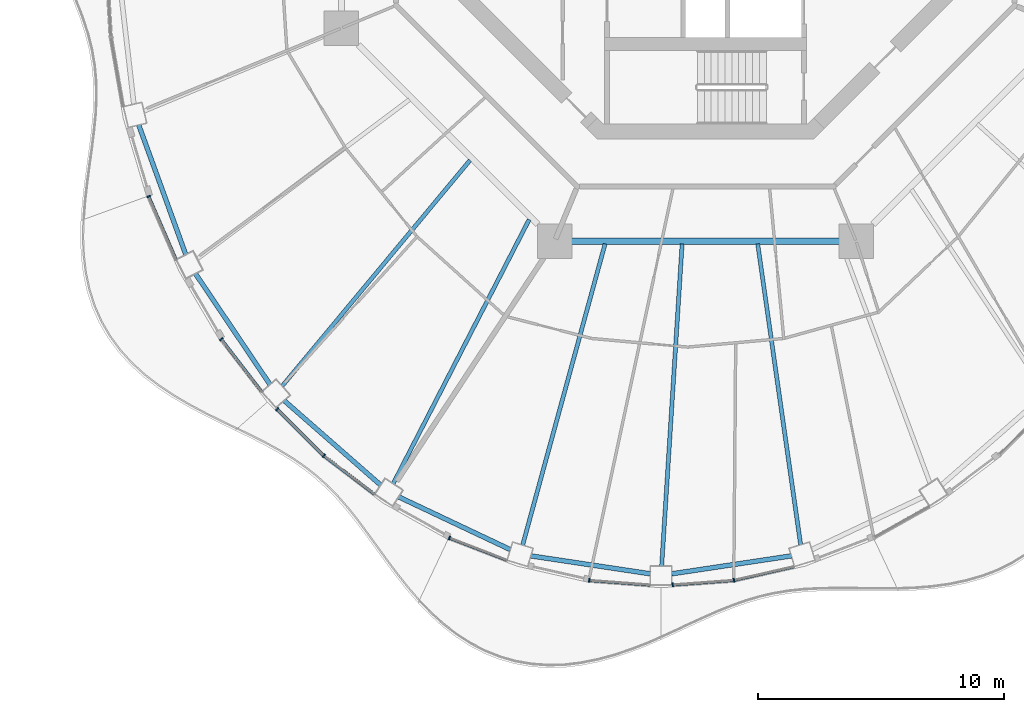
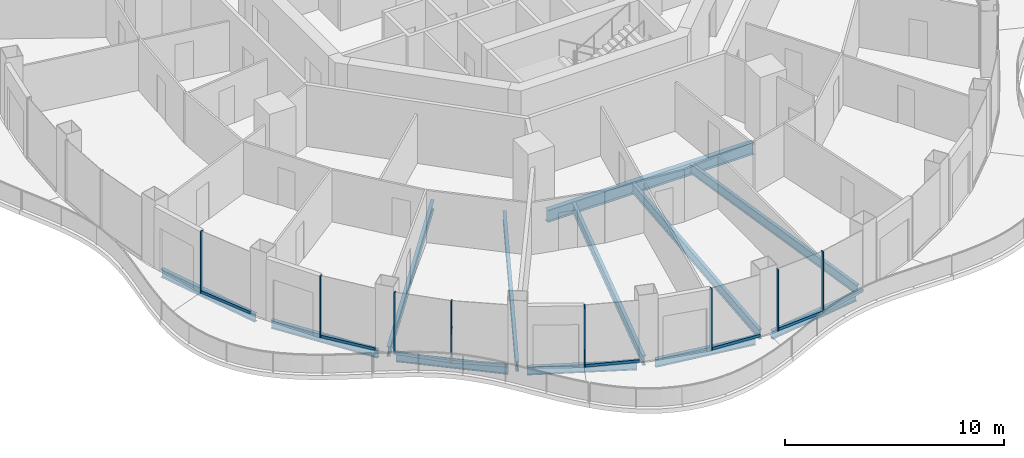
# One storey, part 2 of 17: 16 members, 12 beams, 8 elements without a shape of their own.
"""IFC4 building model written with IfcOpenShell, lengths in metres."""

from ifc_helpers import new_model, si_unit, direction, frame, origin, origin_2d, place, context, subcontext, project, spatial, rectangle, i_section, extrude, material, layer, layer_set, material_profile, profile_set, type_object, element, aggregate, save


model = new_model("IFC4")

# Units and contexts
model_context = context("Model", 3, precision=1e-05, world=origin(), true_north=direction((0.0, 1.0)))
body_context = subcontext(model_context, "Body", "Model", "MODEL_VIEW")
ifc_project = project(units=[si_unit("LENGTHUNIT", "METRE"), si_unit("AREAUNIT", "SQUARE_METRE"), si_unit("VOLUMEUNIT", "CUBIC_METRE"), si_unit("PLANEANGLEUNIT", "RADIAN"), si_unit("MASSUNIT", "GRAM", prefix="KILO")], contexts=[model_context])

# Site, building, storey
site_placement = place(None, origin())
site = spatial("IfcSite", under=ifc_project, at=site_placement, CompositionType="ELEMENT")
building_placement = place(site_placement, origin())
building = spatial("IfcBuilding", under=site, at=building_placement, Name="Nagisa Residences", CompositionType="ELEMENT")
storey_placement = place(building_placement, frame((0.0, 0.0, 291.800048828125)))
storey = spatial("IfcBuildingStorey", under=building, at=storey_placement, Name="L74", CompositionType="ELEMENT", Elevation=291.800048828125)

# Curtain wall, member
ifc_material_1 = material(Name="Concrete-coloured aluminium curtain wall system", Category="concrete")
ifc_layer = layer(ifc_material_1, 0.159912109375)
ifc_layer_set = layer_set([ifc_layer], Name="CW1 CURTAIN WALL")
curtain_wall_type = type_object("IfcCurtainWallType", Name="CW1 CURTAIN WALL", PredefinedType="NOTDEFINED", material=ifc_layer_set)
curtain_wall_1_placement = place(storey_placement, origin())
curtain_wall_1 = element("IfcCurtainWall", 1, at=curtain_wall_1_placement, inside=storey, type_object=curtain_wall_type, Name="cw:CW1:L74:27", PredefinedType="NOTDEFINED")
ifc_material_2 = material(Name="Concrete-coloured aluminium", Category="concrete")
ifc_material_profile_1 = material_profile(ifc_material_2, rectangle(XDim=0.159912109375, YDim=0.06005859375, at=origin_2d()), Name="CW1 MULLION 160x60")
ifc_profile_set_1 = profile_set([ifc_material_profile_1], Name="Concrete-coloured aluminium")
member_type_1 = type_object("IfcMemberType", Name="CW1 MULLION 160x60", PredefinedType="MULLION", material=ifc_profile_set_1)
member_1_placement = place(storey_placement, frame((-22.61279296875, -12.963623046875, 0.0), z_axis=(0.0, 0.0, 1.0), x_axis=(0.917543276295, 0.397635934147, 0.0)))
member_1 = element("IfcMember", 2, at=member_1_placement, type_object=member_type_1, Name="CW1 mullion", PredefinedType="MULLION", context=body_context, shape_type="SweptSolid", body=[
    extrude(rectangle(XDim=0.159912109375, YDim=0.06005859375, at=origin_2d()), origin(), (0.0, 0.0, 1.0), 3.43994140625),
])

curtain_wall_2_placement = place(storey_placement, origin())
curtain_wall_2 = element("IfcCurtainWall", 3, at=curtain_wall_2_placement, inside=storey, type_object=curtain_wall_type, Name="cw:CW1:L74:29", PredefinedType="NOTDEFINED")
member_2_placement = place(storey_placement, frame((-19.6640625, -18.76220703125, 0.0), z_axis=(0.0, 0.0, 1.0), x_axis=(0.792070340816, 0.610429828235, 0.0)))
member_2 = element("IfcMember", 4, at=member_2_placement, type_object=member_type_1, Name="CW1 mullion", PredefinedType="MULLION", context=body_context, shape_type="SweptSolid", body=[
    extrude(rectangle(XDim=0.159912109375, YDim=0.06005859375, at=origin_2d()), origin(), (0.0, 0.0, 1.0), 3.43994140625),
])

curtain_wall_3_placement = place(storey_placement, origin())
curtain_wall_3 = element("IfcCurtainWall", 5, at=curtain_wall_3_placement, inside=storey, type_object=curtain_wall_type, Name="cw:CW1:L74:30", PredefinedType="NOTDEFINED")
member_3_placement = place(storey_placement, frame((-17.3984375, -21.60107421875, 0.0), z_axis=(0.0, 0.0, 1.0), x_axis=(0.706376885714, 0.707835924016, 0.0)))
member_3 = element("IfcMember", 6, at=member_3_placement, type_object=member_type_1, Name="CW1 mullion", PredefinedType="MULLION", context=body_context, shape_type="SweptSolid", body=[
    extrude(rectangle(XDim=0.159912109375, YDim=0.06005859375, at=origin_2d()), origin(), (0.0, 0.0, 1.0), 3.43994140625),
])

curtain_wall_4_placement = place(storey_placement, origin())
curtain_wall_4 = element("IfcCurtainWall", 7, at=curtain_wall_4_placement, inside=storey, type_object=curtain_wall_type, Name="cw:CW1:L74:31", PredefinedType="NOTDEFINED")
member_4_placement = place(storey_placement, frame((-15.497802734375, -23.4931640625, 0.0), z_axis=(0.0, 0.0, 1.0), x_axis=(0.605255421737, 0.79603132756, 0.0)))
member_4 = element("IfcMember", 8, at=member_4_placement, type_object=member_type_1, Name="CW1 mullion", PredefinedType="MULLION", context=body_context, shape_type="SweptSolid", body=[
    extrude(rectangle(XDim=0.159912109375, YDim=0.06005859375, at=origin_2d()), origin(), (0.0, 0.0, 1.0), 3.43994140625),
])

curtain_wall_5_placement = place(storey_placement, origin())
curtain_wall_5 = element("IfcCurtainWall", 9, at=curtain_wall_5_placement, inside=storey, type_object=curtain_wall_type, Name="cw:CW1:L74:33", PredefinedType="NOTDEFINED")
member_5_placement = place(storey_placement, frame((-10.3994140625, -26.83447265625, 0.0), z_axis=(0.0, 0.0, 1.0), x_axis=(0.360327770268, 0.932825759707, 0.0)))
member_5 = element("IfcMember", 10, at=member_5_placement, type_object=member_type_1, Name="CW1 mullion", PredefinedType="MULLION", context=body_context, shape_type="SweptSolid", body=[
    extrude(rectangle(XDim=0.159912109375, YDim=0.06005859375, at=origin_2d()), origin(), (0.0, 0.0, 1.0), 3.43994140625),
])

curtain_wall_6_placement = place(storey_placement, origin())
curtain_wall_6 = element("IfcCurtainWall", 11, at=curtain_wall_6_placement, inside=storey, type_object=curtain_wall_type, Name="cw:CW1:L74:35", PredefinedType="NOTDEFINED")
member_6_placement = place(storey_placement, frame((-4.716552734375, -28.559814453125, 0.0), z_axis=(0.0, 0.0, 1.0), x_axis=(0.074377355493, 0.997230168512, 0.0)))
member_6 = element("IfcMember", 12, at=member_6_placement, type_object=member_type_1, Name="CW1 mullion", PredefinedType="MULLION", context=body_context, shape_type="SweptSolid", body=[
    extrude(rectangle(XDim=0.159912109375, YDim=0.06005859375, at=origin_2d()), origin(), (0.0, 0.0, 1.0), 3.43994140625),
])

curtain_wall_7_placement = place(storey_placement, origin())
curtain_wall_7 = element("IfcCurtainWall", 13, at=curtain_wall_7_placement, inside=storey, type_object=curtain_wall_type, Name="cw:CW1:L74:36", PredefinedType="NOTDEFINED")
member_7_placement = place(storey_placement, frame((-1.327392578125, -28.7421875, 0.0), z_axis=(0.0, 0.0, 1.0), x_axis=(-0.074377355493, 0.997230168512, 0.0)))
member_7 = element("IfcMember", 14, at=member_7_placement, type_object=member_type_1, Name="CW1 mullion", PredefinedType="MULLION", context=body_context, shape_type="SweptSolid", body=[
    extrude(rectangle(XDim=0.159912109375, YDim=0.06005859375, at=origin_2d()), origin(), (0.0, 0.0, 1.0), 3.43994140625),
])

curtain_wall_8_placement = place(storey_placement, origin())
curtain_wall_8 = element("IfcCurtainWall", 15, at=curtain_wall_8_placement, inside=storey, type_object=curtain_wall_type, Name="cw:CW1:L74:37", PredefinedType="NOTDEFINED")
member_8_placement = place(storey_placement, frame((1.1640625, -28.552734375, 0.0), z_axis=(0.0, 0.0, 1.0), x_axis=(-0.2207639201, 0.975327274089, 0.0)))
member_8 = element("IfcMember", 16, at=member_8_placement, type_object=member_type_1, Name="CW1 mullion", PredefinedType="MULLION", context=body_context, shape_type="SweptSolid", body=[
    extrude(rectangle(XDim=0.159912109375, YDim=0.06005859375, at=origin_2d()), origin(), (0.0, 0.0, 1.0), 3.43994140625),
])

# Member
ifc_material_3 = material(Name="Concrete-coloured aluminium", Category="concrete")
ifc_material_profile_2 = material_profile(ifc_material_3, rectangle(XDim=0.1201171875, YDim=0.14990234375, at=origin_2d()), Name="CW1 TRANSOM 120x150")
ifc_profile_set_2 = profile_set([ifc_material_profile_2], Name="Concrete-coloured aluminium")
member_type_2 = type_object("IfcMemberType", Name="CW1 TRANSOM 120x150", PredefinedType="USERDEFINED", material=ifc_profile_set_2)
member_9_placement = place(storey_placement, frame((-22.624755859375, -12.93603515625, 0.074951171875), z_axis=(0.397597791596, -0.9175598052, 0.0), x_axis=(0.9175598052, 0.397597791596, 0.0)))
member_9 = element("IfcMember", 17, at=member_9_placement, type_object=member_type_2, Name="CW1 transom", ObjectType="TRANSOM", PredefinedType="USERDEFINED", context=body_context, shape_type="SweptSolid", body=[
    extrude(rectangle(XDim=0.1201171875, YDim=0.14990234375, at=origin_2d()), origin(), (0.0, 0.0, 1.0), 2.841064453125),
])

aggregate(curtain_wall_1, [member_1, member_9])

member_10_placement = place(storey_placement, frame((-19.682373046875, -18.73828125, 0.074951171875), z_axis=(0.610432336622, -0.792068407656, 0.0), x_axis=(0.792068407656, 0.610432336622, 0.0)))
member_10 = element("IfcMember", 18, at=member_10_placement, type_object=member_type_2, Name="CW1 transom", ObjectType="TRANSOM", PredefinedType="USERDEFINED", context=body_context, shape_type="SweptSolid", body=[
    extrude(rectangle(XDim=0.1201171875, YDim=0.14990234375, at=origin_2d()), origin(), (0.0, 0.0, 1.0), 2.74609375),
])

aggregate(curtain_wall_2, [member_2, member_10])

member_11_placement = place(storey_placement, frame((-17.419677734375, -21.579833984375, 0.074951171875), z_axis=(0.707831739508, -0.706381078841, 0.0), x_axis=(0.706381078841, 0.707831739508, 0.0)))
member_11 = element("IfcMember", 19, at=member_11_placement, type_object=member_type_2, Name="CW1 transom", ObjectType="TRANSOM", PredefinedType="USERDEFINED", context=body_context, shape_type="SweptSolid", body=[
    extrude(rectangle(XDim=0.1201171875, YDim=0.14990234375, at=origin_2d()), origin(), (0.0, 0.0, 1.0), 2.692626953125),
])

aggregate(curtain_wall_3, [member_3, member_11])

member_12_placement = place(storey_placement, frame((-15.521728515625, -23.474853515625, 0.074951171875), z_axis=(0.796010739377, -0.605282498339, 0.0), x_axis=(0.605282498339, 0.796010739377, 0.0)))
member_12 = element("IfcMember", 20, at=member_12_placement, type_object=member_type_2, Name="CW1 transom", ObjectType="TRANSOM", PredefinedType="USERDEFINED", context=body_context, shape_type="SweptSolid", body=[
    extrude(rectangle(XDim=0.1201171875, YDim=0.14990234375, at=origin_2d()), origin(), (0.0, 0.0, 1.0), 2.640625),
])

aggregate(curtain_wall_4, [member_4, member_12])

member_13_placement = place(storey_placement, frame((-10.427490234375, -26.82373046875, 0.074951171875), z_axis=(0.93282223778, -0.360336887792, 0.0), x_axis=(0.360336887792, 0.93282223778, 0.0)))
member_13 = element("IfcMember", 21, at=member_13_placement, type_object=member_type_2, Name="CW1 transom", ObjectType="TRANSOM", PredefinedType="USERDEFINED", context=body_context, shape_type="SweptSolid", body=[
    extrude(rectangle(XDim=0.1201171875, YDim=0.14990234375, at=origin_2d()), origin(), (0.0, 0.0, 1.0), 2.5537109375),
])

aggregate(curtain_wall_5, [member_5, member_13])

member_14_placement = place(storey_placement, frame((-4.74658203125, -28.5576171875, 0.074951171875), z_axis=(0.99722914645, -0.074391057731, 0.0), x_axis=(0.074391057731, 0.99722914645, 0.0)))
member_14 = element("IfcMember", 22, at=member_14_placement, type_object=member_type_2, Name="CW1 transom", ObjectType="TRANSOM", PredefinedType="USERDEFINED", context=body_context, shape_type="SweptSolid", body=[
    extrude(rectangle(XDim=0.1201171875, YDim=0.14990234375, at=origin_2d()), origin(), (0.0, 0.0, 1.0), 2.510498046875),
])

aggregate(curtain_wall_6, [member_6, member_14])

member_15_placement = place(storey_placement, frame((-1.357177734375, -28.744384765625, 0.074951171875), z_axis=(0.99722914645, 0.074391057731, 0.0), x_axis=(-0.074391057731, 0.99722914645, 0.0)))
member_15 = element("IfcMember", 23, at=member_15_placement, type_object=member_type_2, Name="CW1 transom", ObjectType="TRANSOM", PredefinedType="USERDEFINED", context=body_context, shape_type="SweptSolid", body=[
    extrude(rectangle(XDim=0.1201171875, YDim=0.14990234375, at=origin_2d()), origin(), (0.0, 0.0, 1.0), 2.510498046875),
])

aggregate(curtain_wall_7, [member_7, member_15])

member_16_placement = place(storey_placement, frame((1.134765625, -28.5595703125, 0.074951171875), z_axis=(0.975319584032, 0.220797891756, 0.0), x_axis=(-0.220797891756, 0.975319584032, 0.0)))
member_16 = element("IfcMember", 24, at=member_16_placement, type_object=member_type_2, Name="CW1 transom", ObjectType="TRANSOM", PredefinedType="USERDEFINED", context=body_context, shape_type="SweptSolid", body=[
    extrude(rectangle(XDim=0.1201171875, YDim=0.14990234375, at=origin_2d()), origin(), (0.0, 0.0, 1.0), 2.525390625),
])

aggregate(curtain_wall_8, [member_8, member_16])

# Beams
ifc_material_4 = material(Name="Steel ASTM A572 Gr 50", Category="steel")
ifc_material_profile_3 = material_profile(ifc_material_4, i_section(OverallWidth=0.2529296875, OverallDepth=0.677978515625, WebThickness=0.01171875, FlangeThickness=0.016357421875, at=origin_2d()), Name="W690x125")
ifc_profile_set_3 = profile_set([ifc_material_profile_3], Name="Steel ASTM A572 Gr 50")
beam_type_1 = type_object("IfcBeamType", Name="Inner ring beam W690x125", PredefinedType="BEAM", material=ifc_profile_set_3)
beam_1_placement = place(storey_placement, frame((-5.44287109375, -14.781982421875, -0.59912109375), z_axis=(1.0, 0.0, 0.0), x_axis=(0.0, 1.0, 0.0)))
element("IfcBeam", 25, at=beam_1_placement, inside=storey, type_object=beam_type_1, Name="beam:L74:ib6", PredefinedType="BEAM", context=body_context, shape_type="SweptSolid", body=[
    extrude(i_section(OverallWidth=0.2529296875, OverallDepth=0.677978515625, WebThickness=0.01171875, FlangeThickness=0.016357421875, at=origin_2d()), origin(), (0.0, 0.0, 1.0), 10.8857421875),
])
ifc_material_5 = material(Name="Steel ASTM A572 Gr 50", Category="steel")
ifc_material_profile_4 = material_profile(ifc_material_5, i_section(OverallWidth=0.18994140625, OverallDepth=0.45703125, WebThickness=0.009033203125, FlangeThickness=0.014404296875, at=origin_2d()), Name="W460x74")
ifc_profile_set_4 = profile_set([ifc_material_profile_4], Name="Steel ASTM A572 Gr 50")
beam_type_2 = type_object("IfcBeamType", Name="Perimeter ring beam W460x74", PredefinedType="BEAM", material=ifc_profile_set_4)
beam_2_placement = place(storey_placement, frame((-23.0185546875, -10.057373046875, -0.488525390625), z_axis=(0.341250304478, -0.9399724622, 0.0), x_axis=(0.9399724622, 0.341250304478, 0.0)))
element("IfcBeam", 26, at=beam_2_placement, inside=storey, type_object=beam_type_2, Name="beam:L74:pb14", PredefinedType="BEAM", context=body_context, shape_type="SweptSolid", body=[
    extrude(i_section(OverallWidth=0.18994140625, OverallDepth=0.45703125, WebThickness=0.009033203125, FlangeThickness=0.014404296875, at=origin_2d()), origin(), (0.0, 0.0, 1.0), 5.609619140625),
])
beam_3_placement = place(storey_placement, frame((-20.714599609375, -16.097412109375, -0.488525390625), z_axis=(0.558014665254, -0.829831087247, 0.0), x_axis=(0.829831087247, 0.558014665254, 0.0)))
element("IfcBeam", 27, at=beam_3_placement, inside=storey, type_object=beam_type_2, Name="beam:L74:pb15", PredefinedType="BEAM", context=body_context, shape_type="SweptSolid", body=[
    extrude(i_section(OverallWidth=0.18994140625, OverallDepth=0.45703125, WebThickness=0.009033203125, FlangeThickness=0.014404296875, at=origin_2d()), origin(), (0.0, 0.0, 1.0), 5.43212890625),
])
beam_4_placement = place(storey_placement, frame((-17.11474609375, -21.2509765625, -0.488525390625), z_axis=(0.752365189148, -0.658746250204, 0.0), x_axis=(0.658746250204, 0.752365189148, 0.0)))
element("IfcBeam", 28, at=beam_4_placement, inside=storey, type_object=beam_type_2, Name="beam:L74:pb16", PredefinedType="BEAM", context=body_context, shape_type="SweptSolid", body=[
    extrude(i_section(OverallWidth=0.18994140625, OverallDepth=0.45703125, WebThickness=0.009033203125, FlangeThickness=0.014404296875, at=origin_2d()), origin(), (0.0, 0.0, 1.0), 5.220947265625),
])
beam_5_placement = place(storey_placement, frame((-12.46728515625, -25.161865234375, -0.488525390625), z_axis=(0.904115893837, -0.427287316113, 0.0), x_axis=(0.427287316113, 0.904115893837, 0.0)))
element("IfcBeam", 29, at=beam_5_placement, inside=storey, type_object=beam_type_2, Name="beam:L74:pb17", PredefinedType="BEAM", context=body_context, shape_type="SweptSolid", body=[
    extrude(i_section(OverallWidth=0.18994140625, OverallDepth=0.45703125, WebThickness=0.009033203125, FlangeThickness=0.014404296875, at=origin_2d()), origin(), (0.0, 0.0, 1.0), 5.031494140625),
])
beam_6_placement = place(storey_placement, frame((-7.094970703125, -27.562255859375, -0.488525390625), z_axis=(0.98890648267, -0.148539451101, 0.0), x_axis=(0.148539451101, 0.98890648267, 0.0)))
element("IfcBeam", 30, at=beam_6_placement, inside=storey, type_object=beam_type_2, Name="beam:L74:pb18", PredefinedType="BEAM", context=body_context, shape_type="SweptSolid", body=[
    extrude(i_section(OverallWidth=0.18994140625, OverallDepth=0.45703125, WebThickness=0.009033203125, FlangeThickness=0.014404296875, at=origin_2d()), origin(), (0.0, 0.0, 1.0), 4.91943359375),
])
beam_7_placement = place(storey_placement, frame((-1.369873046875, -28.29296875, -0.488525390625), z_axis=(0.988907577601, 0.148532161377, 0.0), x_axis=(-0.148532161377, 0.988907577601, 0.0)))
element("IfcBeam", 31, at=beam_7_placement, inside=storey, type_object=beam_type_2, Name="beam:L74:pb19", PredefinedType="BEAM", context=body_context, shape_type="SweptSolid", body=[
    extrude(i_section(OverallWidth=0.18994140625, OverallDepth=0.45703125, WebThickness=0.009033203125, FlangeThickness=0.014404296875, at=origin_2d()), origin(), (0.0, 0.0, 1.0), 4.919677734375),
])
ifc_material_6 = material(Name="Steel ASTM A572 Gr 50", Category="steel")
ifc_material_profile_5 = material_profile(ifc_material_6, i_section(OverallWidth=0.166015625, OverallDepth=0.534912109375, WebThickness=0.01025390625, FlangeThickness=0.0166015625, at=origin_2d()), Name="W530x85")
ifc_profile_set_5 = profile_set([ifc_material_profile_5], Name="Steel ASTM A572 Gr 50")
beam_type_3 = type_object("IfcBeamType", Name="Radial beam W530x85", PredefinedType="BEAM", material=ifc_profile_set_5)
beam_8_placement = place(storey_placement, frame((-17.195068359375, -20.669189453125, -0.527587890625), z_axis=(0.639540330466, 0.768757546764, 0.0), x_axis=(-0.768757546764, 0.639540330466, 0.0)))
element("IfcBeam", 32, at=beam_8_placement, inside=storey, type_object=beam_type_3, Name="beam:L74:rb16", PredefinedType="BEAM", context=body_context, shape_type="SweptSolid", body=[
    extrude(i_section(OverallWidth=0.166015625, OverallDepth=0.534912109375, WebThickness=0.01025390625, FlangeThickness=0.0166015625, at=origin_2d()), origin(), (0.0, 0.0, 1.0), 11.935302734375),
])
beam_9_placement = place(storey_placement, frame((-12.68505859375, -24.63623046875, -0.527587890625), z_axis=(0.457775990682, 0.88906756906, 0.0), x_axis=(-0.88906756906, 0.457775990682, 0.0)))
element("IfcBeam", 33, at=beam_9_placement, inside=storey, type_object=beam_type_3, Name="beam:L74:rb17", PredefinedType="BEAM", context=body_context, shape_type="SweptSolid", body=[
    extrude(i_section(OverallWidth=0.166015625, OverallDepth=0.534912109375, WebThickness=0.01025390625, FlangeThickness=0.0166015625, at=origin_2d()), origin(), (0.0, 0.0, 1.0), 12.075927734375),
])
beam_10_placement = place(storey_placement, frame((-7.4248046875, -27.130859375, -0.527587890625), z_axis=(0.263957181957, 0.964534398606, 0.0), x_axis=(-0.964534398606, 0.263957181957, 0.0)))
element("IfcBeam", 34, at=beam_10_placement, inside=storey, type_object=beam_type_3, Name="beam:L74:rb18", PredefinedType="BEAM", context=body_context, shape_type="SweptSolid", body=[
    extrude(i_section(OverallWidth=0.166015625, OverallDepth=0.534912109375, WebThickness=0.01025390625, FlangeThickness=0.0166015625, at=origin_2d()), origin(), (0.0, 0.0, 1.0), 12.69189453125),
])
beam_11_placement = place(storey_placement, frame((-1.77587890625, -27.9775390625, -0.527587890625), z_axis=(0.06334711, 0.997991554901, 0.0), x_axis=(-0.997991554901, 0.06334711, 0.0)))
element("IfcBeam", 35, at=beam_11_placement, inside=storey, type_object=beam_type_3, Name="beam:L74:rb19", PredefinedType="BEAM", context=body_context, shape_type="SweptSolid", body=[
    extrude(i_section(OverallWidth=0.166015625, OverallDepth=0.534912109375, WebThickness=0.01025390625, FlangeThickness=0.0166015625, at=origin_2d()), origin(), (0.0, 0.0, 1.0), 13.115234375),
])
beam_12_placement = place(storey_placement, frame((3.87060546875, -27.11669921875, -0.527587890625), z_axis=(-0.141302367909, 0.989966484697, 0.0), x_axis=(-0.989966484697, -0.141302367909, 0.0)))
element("IfcBeam", 36, at=beam_12_placement, inside=storey, type_object=beam_type_3, Name="beam:L74:rb20", PredefinedType="BEAM", context=body_context, shape_type="SweptSolid", body=[
    extrude(i_section(OverallWidth=0.166015625, OverallDepth=0.534912109375, WebThickness=0.01025390625, FlangeThickness=0.0166015625, at=origin_2d()), origin(), (0.0, 0.0, 1.0), 12.35205078125),
])

save(model, "model.ifc")
